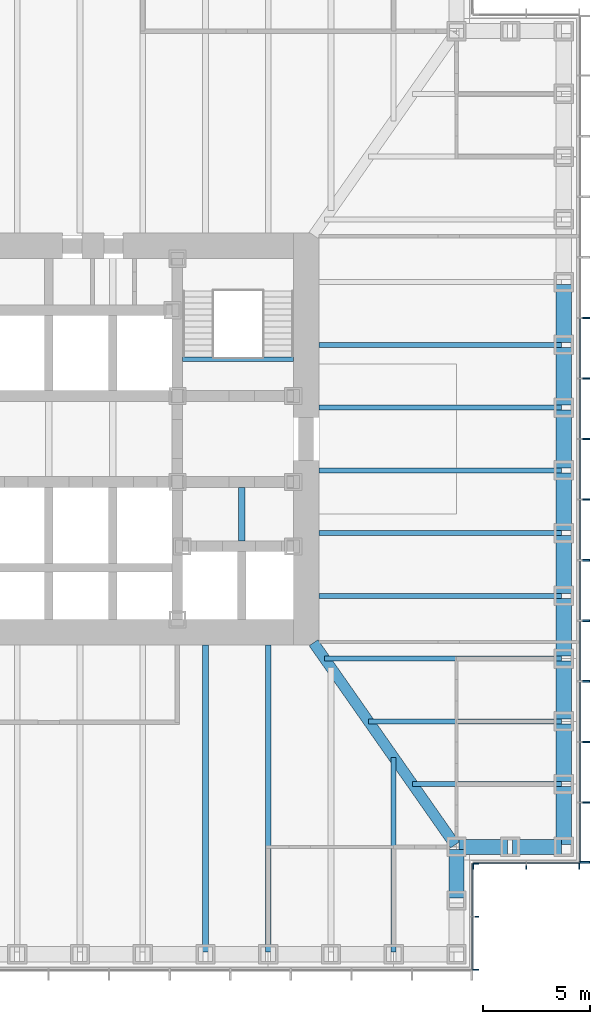
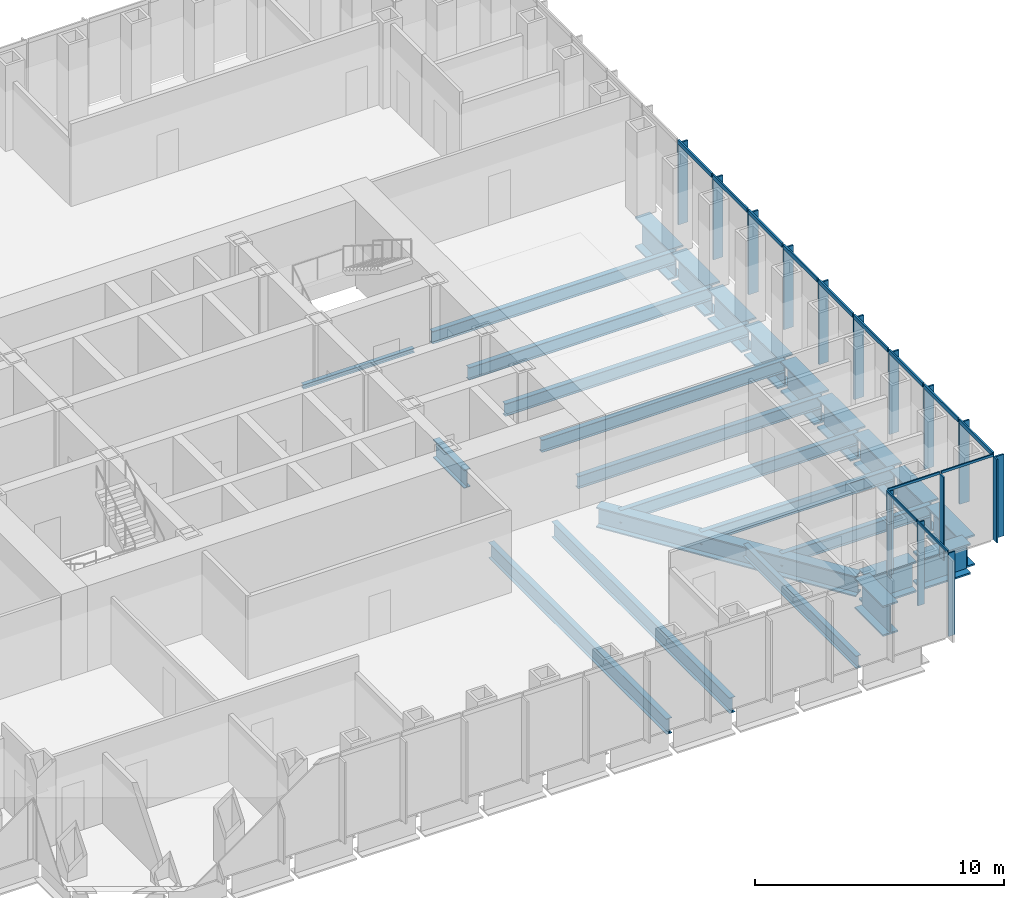
# One storey, part 4 of 17: 29 members, 26 beams, 3 elements without a shape of their own.
"""IFC4 building model written with IfcOpenShell, lengths in metres."""

from ifc_helpers import new_model, si_unit, direction, frame, origin, origin_2d, place, context, subcontext, project, spatial, rectangle, i_section, extrude, material, material_profile, profile_set, type_object, element, aggregate, save


model = new_model("IFC4")

# Units and contexts
model_context = context("Model", 3, precision=1e-05, world=origin(), true_north=direction((0.0, 1.0)))
body_context = subcontext(model_context, "Body", "Model", "MODEL_VIEW")
ifc_project = project(units=[si_unit("LENGTHUNIT", "METRE"), si_unit("AREAUNIT", "SQUARE_METRE"), si_unit("VOLUMEUNIT", "CUBIC_METRE"), si_unit("PLANEANGLEUNIT", "RADIAN"), si_unit("MASSUNIT", "GRAM", prefix="KILO")], contexts=[model_context])

# Site, building, storey
site_placement = place(None, origin())
site = spatial("IfcSite", under=ifc_project, at=site_placement, CompositionType="ELEMENT")
building_placement = place(site_placement, origin())
building = spatial("IfcBuilding", under=site, at=building_placement, Name="Daluyong Arena Tower", CompositionType="ELEMENT")
storey_placement = place(building_placement, frame((0.0, 0.0, 85.300048828125)))
storey = spatial("IfcBuildingStorey", under=building, at=storey_placement, Name="L18", CompositionType="ELEMENT", Elevation=85.300048828125)

# Curtain wall, members
ifc_material_1 = material(Name="Bronze anodised aluminium and glass", Category="aluminium")
curtain_wall_type_1 = type_object("IfcCurtainWallType", Name="Curtain wall CW1", PredefinedType="USERDEFINED", material=ifc_material_1)
curtain_wall_1_placement = place(storey_placement, origin())
curtain_wall_1 = element("IfcCurtainWall", 1, at=curtain_wall_1_placement, inside=storey, type_object=curtain_wall_type_1, Name="curtain wall L18 E", ObjectType="UNITISED CURTAIN WALL", PredefinedType="USERDEFINED")
ifc_material_2 = material(Name="Bronze anodised aluminium fin", Category="aluminium")
ifc_material_profile_1 = material_profile(ifc_material_2, rectangle(XDim=0.449951171875, YDim=0.080078125, at=origin_2d()))
ifc_profile_set_1 = profile_set([ifc_material_profile_1], Name="Bronze anodised aluminium fin")
member_type_1 = type_object("IfcMemberType", Name="CW1 bronze fin 450x80", PredefinedType="MULLION", material=ifc_profile_set_1)
member_1_placement = place(storey_placement, frame((80.97509765625, 60.2900390625, 0.0), z_axis=(0.0, 0.0, 1.0), x_axis=(-1.0, 0.0, 0.0)))
member_1 = element("IfcMember", 2, at=member_1_placement, type_object=member_type_1, Name="curtain wall L18 E fin 1", PredefinedType="MULLION", context=body_context, shape_type="SweptSolid", body=[
    extrude(rectangle(XDim=0.449951171875, YDim=0.080078125, at=origin_2d()), origin(), (0.0, 0.0, 1.0), 4.0),
])
member_2_placement = place(storey_placement, frame((80.97509765625, 63.071533203125, 0.0), z_axis=(0.0, 0.0, 1.0), x_axis=(-1.0, 0.0, 0.0)))
member_2 = element("IfcMember", 3, at=member_2_placement, type_object=member_type_1, Name="curtain wall L18 E fin 2", PredefinedType="MULLION", context=body_context, shape_type="SweptSolid", body=[
    extrude(rectangle(XDim=0.449951171875, YDim=0.080078125, at=origin_2d()), origin(), (0.0, 0.0, 1.0), 4.0),
])
member_3_placement = place(storey_placement, frame((80.97509765625, 65.892822265625, 0.0), z_axis=(0.0, 0.0, 1.0), x_axis=(-1.0, 0.0, 0.0)))
member_3 = element("IfcMember", 4, at=member_3_placement, type_object=member_type_1, Name="curtain wall L18 E fin 3", PredefinedType="MULLION", context=body_context, shape_type="SweptSolid", body=[
    extrude(rectangle(XDim=0.449951171875, YDim=0.080078125, at=origin_2d()), origin(), (0.0, 0.0, 1.0), 4.0),
])
member_4_placement = place(storey_placement, frame((80.97509765625, 68.71435546875, 0.0), z_axis=(0.0, 0.0, 1.0), x_axis=(-1.0, 0.0, 0.0)))
member_4 = element("IfcMember", 5, at=member_4_placement, type_object=member_type_1, Name="curtain wall L18 E fin 4", PredefinedType="MULLION", context=body_context, shape_type="SweptSolid", body=[
    extrude(rectangle(XDim=0.449951171875, YDim=0.080078125, at=origin_2d()), origin(), (0.0, 0.0, 1.0), 4.0),
])
member_5_placement = place(storey_placement, frame((80.97509765625, 71.53564453125, 0.0), z_axis=(0.0, 0.0, 1.0), x_axis=(-1.0, 0.0, 0.0)))
member_5 = element("IfcMember", 6, at=member_5_placement, type_object=member_type_1, Name="curtain wall L18 E fin 5", PredefinedType="MULLION", context=body_context, shape_type="SweptSolid", body=[
    extrude(rectangle(XDim=0.449951171875, YDim=0.080078125, at=origin_2d()), origin(), (0.0, 0.0, 1.0), 4.0),
])
member_6_placement = place(storey_placement, frame((80.97509765625, 74.357177734375, 0.0), z_axis=(0.0, 0.0, 1.0), x_axis=(-1.0, 0.0, 0.0)))
member_6 = element("IfcMember", 7, at=member_6_placement, type_object=member_type_1, Name="curtain wall L18 E fin 6", PredefinedType="MULLION", context=body_context, shape_type="SweptSolid", body=[
    extrude(rectangle(XDim=0.449951171875, YDim=0.080078125, at=origin_2d()), origin(), (0.0, 0.0, 1.0), 4.0),
])
member_7_placement = place(storey_placement, frame((80.97509765625, 77.178466796875, 0.0), z_axis=(0.0, 0.0, 1.0), x_axis=(-1.0, 0.0, 0.0)))
member_7 = element("IfcMember", 8, at=member_7_placement, type_object=member_type_1, Name="curtain wall L18 E fin 7", PredefinedType="MULLION", context=body_context, shape_type="SweptSolid", body=[
    extrude(rectangle(XDim=0.449951171875, YDim=0.080078125, at=origin_2d()), origin(), (0.0, 0.0, 1.0), 4.0),
])
member_8_placement = place(storey_placement, frame((80.97509765625, 80.0, 0.0), z_axis=(0.0, 0.0, 1.0), x_axis=(-1.0, 0.0, 0.0)))
member_8 = element("IfcMember", 9, at=member_8_placement, type_object=member_type_1, Name="curtain wall L18 E fin 8", PredefinedType="MULLION", context=body_context, shape_type="SweptSolid", body=[
    extrude(rectangle(XDim=0.449951171875, YDim=0.080078125, at=origin_2d()), origin(), (0.0, 0.0, 1.0), 4.0),
])
member_9_placement = place(storey_placement, frame((80.97509765625, 82.821533203125, 0.0), z_axis=(0.0, 0.0, 1.0), x_axis=(-1.0, 0.0, 0.0)))
member_9 = element("IfcMember", 10, at=member_9_placement, type_object=member_type_1, Name="curtain wall L18 E fin 9", PredefinedType="MULLION", context=body_context, shape_type="SweptSolid", body=[
    extrude(rectangle(XDim=0.449951171875, YDim=0.080078125, at=origin_2d()), origin(), (0.0, 0.0, 1.0), 4.0),
])
member_10_placement = place(storey_placement, frame((80.97509765625, 85.642822265625, 0.0), z_axis=(0.0, 0.0, 1.0), x_axis=(-1.0, 0.0, 0.0)))
member_10 = element("IfcMember", 11, at=member_10_placement, type_object=member_type_1, Name="curtain wall L18 E fin 10", PredefinedType="MULLION", context=body_context, shape_type="SweptSolid", body=[
    extrude(rectangle(XDim=0.449951171875, YDim=0.080078125, at=origin_2d()), origin(), (0.0, 0.0, 1.0), 4.0),
])
ifc_material_3 = material(Name="Bronze anodised aluminium", Category="aluminium")
ifc_material_profile_2 = material_profile(ifc_material_3, rectangle(XDim=0.080078125, YDim=0.199951171875, at=origin_2d()))
ifc_profile_set_2 = profile_set([ifc_material_profile_2], Name="Bronze anodised aluminium")
member_type_2 = type_object("IfcMemberType", Name="CW1 stack transom 200x80", PredefinedType="USERDEFINED", material=ifc_profile_set_2)
member_11_placement = place(storey_placement, frame((80.75, 60.330078125, 4.099853515625), z_axis=(0.0, 1.0, 0.0), x_axis=(-1.0, 0.0, 0.0)))
member_11 = element("IfcMember", 12, at=member_11_placement, type_object=member_type_2, Name="curtain wall L18 E transom 1", ObjectType="TRANSOM", PredefinedType="USERDEFINED", context=body_context, shape_type="SweptSolid", body=[
    extrude(rectangle(XDim=0.080078125, YDim=0.199951171875, at=origin_2d()), origin(), (0.0, 0.0, 1.0), 2.701416015625),
])
member_12_placement = place(storey_placement, frame((80.75, 63.111328125, 4.099853515625), z_axis=(0.0, 1.0, 0.0), x_axis=(-1.0, 0.0, 0.0)))
member_12 = element("IfcMember", 13, at=member_12_placement, type_object=member_type_2, Name="curtain wall L18 E transom 2", ObjectType="TRANSOM", PredefinedType="USERDEFINED", context=body_context, shape_type="SweptSolid", body=[
    extrude(rectangle(XDim=0.080078125, YDim=0.199951171875, at=origin_2d()), origin(), (0.0, 0.0, 1.0), 2.741455078125),
])
member_13_placement = place(storey_placement, frame((80.75, 65.932861328125, 4.099853515625), z_axis=(0.0, 1.0, 0.0), x_axis=(-1.0, 0.0, 0.0)))
member_13 = element("IfcMember", 14, at=member_13_placement, type_object=member_type_2, Name="curtain wall L18 E transom 3", ObjectType="TRANSOM", PredefinedType="USERDEFINED", context=body_context, shape_type="SweptSolid", body=[
    extrude(rectangle(XDim=0.080078125, YDim=0.199951171875, at=origin_2d()), origin(), (0.0, 0.0, 1.0), 2.741455078125),
])
member_14_placement = place(storey_placement, frame((80.75, 68.75439453125, 4.099853515625), z_axis=(0.0, 1.0, 0.0), x_axis=(-1.0, 0.0, 0.0)))
member_14 = element("IfcMember", 15, at=member_14_placement, type_object=member_type_2, Name="curtain wall L18 E transom 4", ObjectType="TRANSOM", PredefinedType="USERDEFINED", context=body_context, shape_type="SweptSolid", body=[
    extrude(rectangle(XDim=0.080078125, YDim=0.199951171875, at=origin_2d()), origin(), (0.0, 0.0, 1.0), 2.7412109375),
])
member_15_placement = place(storey_placement, frame((80.75, 71.57568359375, 4.099853515625), z_axis=(0.0, 1.0, 0.0), x_axis=(-1.0, 0.0, 0.0)))
member_15 = element("IfcMember", 16, at=member_15_placement, type_object=member_type_2, Name="curtain wall L18 E transom 5", ObjectType="TRANSOM", PredefinedType="USERDEFINED", context=body_context, shape_type="SweptSolid", body=[
    extrude(rectangle(XDim=0.080078125, YDim=0.199951171875, at=origin_2d()), origin(), (0.0, 0.0, 1.0), 2.741455078125),
])
member_16_placement = place(storey_placement, frame((80.75, 74.397216796875, 4.099853515625), z_axis=(0.0, 1.0, 0.0), x_axis=(-1.0, 0.0, 0.0)))
member_16 = element("IfcMember", 17, at=member_16_placement, type_object=member_type_2, Name="curtain wall L18 E transom 6", ObjectType="TRANSOM", PredefinedType="USERDEFINED", context=body_context, shape_type="SweptSolid", body=[
    extrude(rectangle(XDim=0.080078125, YDim=0.199951171875, at=origin_2d()), origin(), (0.0, 0.0, 1.0), 2.741455078125),
])
member_17_placement = place(storey_placement, frame((80.75, 77.218505859375, 4.099853515625), z_axis=(0.0, 1.0, 0.0), x_axis=(-1.0, 0.0, 0.0)))
member_17 = element("IfcMember", 18, at=member_17_placement, type_object=member_type_2, Name="curtain wall L18 E transom 7", ObjectType="TRANSOM", PredefinedType="USERDEFINED", context=body_context, shape_type="SweptSolid", body=[
    extrude(rectangle(XDim=0.080078125, YDim=0.199951171875, at=origin_2d()), origin(), (0.0, 0.0, 1.0), 2.741455078125),
])
member_18_placement = place(storey_placement, frame((80.75, 80.0400390625, 4.099853515625), z_axis=(0.0, 1.0, 0.0), x_axis=(-1.0, 0.0, 0.0)))
member_18 = element("IfcMember", 19, at=member_18_placement, type_object=member_type_2, Name="curtain wall L18 E transom 8", ObjectType="TRANSOM", PredefinedType="USERDEFINED", context=body_context, shape_type="SweptSolid", body=[
    extrude(rectangle(XDim=0.080078125, YDim=0.199951171875, at=origin_2d()), origin(), (0.0, 0.0, 1.0), 2.741455078125),
])
member_19_placement = place(storey_placement, frame((80.75, 82.861328125, 4.099853515625), z_axis=(0.0, 1.0, 0.0), x_axis=(-1.0, 0.0, 0.0)))
member_19 = element("IfcMember", 20, at=member_19_placement, type_object=member_type_2, Name="curtain wall L18 E transom 9", ObjectType="TRANSOM", PredefinedType="USERDEFINED", context=body_context, shape_type="SweptSolid", body=[
    extrude(rectangle(XDim=0.080078125, YDim=0.199951171875, at=origin_2d()), origin(), (0.0, 0.0, 1.0), 2.741455078125),
])
aggregate(curtain_wall_1, [member_1, member_2, member_3, member_4, member_5, member_6, member_7, member_8, member_9, member_10, member_11, member_12, member_13, member_14, member_15, member_16, member_17, member_18, member_19])

ifc_material_4 = material(Name="Bronze anodised aluminium and glass", Category="aluminium")
curtain_wall_type_2 = type_object("IfcCurtainWallType", Name="Curtain wall CW7", PredefinedType="USERDEFINED", material=ifc_material_4)
curtain_wall_2_placement = place(storey_placement, origin())
curtain_wall_2 = element("IfcCurtainWall", 21, at=curtain_wall_2_placement, inside=storey, type_object=curtain_wall_type_2, Name="curtain wall L18 SE-E", ObjectType="UNITISED CURTAIN WALL", PredefinedType="USERDEFINED")
ifc_material_5 = material(Name="Bronze anodised aluminium fin", Category="aluminium")
ifc_material_profile_3 = material_profile(ifc_material_5, rectangle(XDim=0.300048828125, YDim=0.06005859375, at=origin_2d()))
ifc_profile_set_3 = profile_set([ifc_material_profile_3], Name="Bronze anodised aluminium fin")
member_type_3 = type_object("IfcMemberType", Name="CW7 bronze fin 300x60", PredefinedType="MULLION", material=ifc_profile_set_3)
member_20_placement = place(storey_placement, frame((75.89990234375, 55.280029296875, 0.0), z_axis=(0.0, 0.0, 1.0), x_axis=(-1.0, 0.0, 0.0)))
member_20 = element("IfcMember", 22, at=member_20_placement, type_object=member_type_3, Name="curtain wall L18 SE-E fin 1", PredefinedType="MULLION", context=body_context, shape_type="SweptSolid", body=[
    extrude(rectangle(XDim=0.300048828125, YDim=0.06005859375, at=origin_2d()), origin(), (0.0, 0.0, 1.0), 4.079833984375),
])
member_21_placement = place(storey_placement, frame((75.89990234375, 57.75, 0.0), z_axis=(0.0, 0.0, 1.0), x_axis=(-1.0, 0.0, 0.0)))
member_21 = element("IfcMember", 23, at=member_21_placement, type_object=member_type_3, Name="curtain wall L18 SE-E fin 2", PredefinedType="MULLION", context=body_context, shape_type="SweptSolid", body=[
    extrude(rectangle(XDim=0.300048828125, YDim=0.06005859375, at=origin_2d()), origin(), (0.0, 0.0, 1.0), 4.079833984375),
])
member_22_placement = place(storey_placement, frame((75.89990234375, 60.219970703125, 0.0), z_axis=(0.0, 0.0, 1.0), x_axis=(-1.0, 0.0, 0.0)))
member_22 = element("IfcMember", 24, at=member_22_placement, type_object=member_type_3, Name="curtain wall L18 SE-E fin 3", PredefinedType="MULLION", context=body_context, shape_type="SweptSolid", body=[
    extrude(rectangle(XDim=0.300048828125, YDim=0.06005859375, at=origin_2d()), origin(), (0.0, 0.0, 1.0), 4.079833984375),
])

curtain_wall_3_placement = place(storey_placement, origin())
curtain_wall_3 = element("IfcCurtainWall", 25, at=curtain_wall_3_placement, inside=storey, type_object=curtain_wall_type_2, Name="curtain wall L18 SE-S", ObjectType="UNITISED CURTAIN WALL", PredefinedType="USERDEFINED")
member_23_placement = place(storey_placement, frame((75.780029296875, 60.10009765625, 0.0), z_axis=(0.0, 0.0, 1.0), x_axis=(0.0, 1.0, 0.0)))
member_23 = element("IfcMember", 26, at=member_23_placement, type_object=member_type_3, Name="curtain wall L18 SE-S fin 1", PredefinedType="MULLION", context=body_context, shape_type="SweptSolid", body=[
    extrude(rectangle(XDim=0.300048828125, YDim=0.06005859375, at=origin_2d()), origin(), (0.0, 0.0, 1.0), 4.079833984375),
])
member_24_placement = place(storey_placement, frame((78.25, 60.10009765625, 0.0), z_axis=(0.0, 0.0, 1.0), x_axis=(0.0, 1.0, 0.0)))
member_24 = element("IfcMember", 27, at=member_24_placement, type_object=member_type_3, Name="curtain wall L18 SE-S fin 2", PredefinedType="MULLION", context=body_context, shape_type="SweptSolid", body=[
    extrude(rectangle(XDim=0.300048828125, YDim=0.06005859375, at=origin_2d()), origin(), (0.0, 0.0, 1.0), 4.079833984375),
])
member_25_placement = place(storey_placement, frame((80.719970703125, 60.10009765625, 0.0), z_axis=(0.0, 0.0, 1.0), x_axis=(0.0, 1.0, 0.0)))
member_25 = element("IfcMember", 28, at=member_25_placement, type_object=member_type_3, Name="curtain wall L18 SE-S fin 3", PredefinedType="MULLION", context=body_context, shape_type="SweptSolid", body=[
    extrude(rectangle(XDim=0.300048828125, YDim=0.06005859375, at=origin_2d()), origin(), (0.0, 0.0, 1.0), 4.079833984375),
])

# Member
ifc_material_6 = material(Name="Bronze anodised aluminium", Category="aluminium")
ifc_material_profile_4 = material_profile(ifc_material_6, rectangle(XDim=0.06005859375, YDim=0.1201171875, at=origin_2d()))
ifc_profile_set_4 = profile_set([ifc_material_profile_4], Name="Bronze anodised aluminium")
member_type_4 = type_object("IfcMemberType", Name="CW7 stack transom 120x60", PredefinedType="USERDEFINED", material=ifc_profile_set_4)
member_26_placement = place(storey_placement, frame((75.75, 55.31005859375, 4.139892578125), z_axis=(0.0, 1.0, 0.0), x_axis=(-1.0, 0.0, 0.0)))
member_26 = element("IfcMember", 29, at=member_26_placement, type_object=member_type_4, Name="curtain wall L18 SE-E transom 1", ObjectType="TRANSOM", PredefinedType="USERDEFINED", context=body_context, shape_type="SweptSolid", body=[
    extrude(rectangle(XDim=0.06005859375, YDim=0.1201171875, at=origin_2d()), origin(), (0.0, 0.0, 1.0), 2.409912109375),
])

member_27_placement = place(storey_placement, frame((75.75, 57.780029296875, 4.139892578125), z_axis=(0.0, 1.0, 0.0), x_axis=(-1.0, 0.0, 0.0)))
member_27 = element("IfcMember", 30, at=member_27_placement, type_object=member_type_4, Name="curtain wall L18 SE-E transom 2", ObjectType="TRANSOM", PredefinedType="USERDEFINED", context=body_context, shape_type="SweptSolid", body=[
    extrude(rectangle(XDim=0.06005859375, YDim=0.1201171875, at=origin_2d()), origin(), (0.0, 0.0, 1.0), 2.409912109375),
])

aggregate(curtain_wall_2, [member_20, member_21, member_22, member_26, member_27])

member_28_placement = place(storey_placement, frame((75.81005859375, 60.25, 4.139892578125), z_axis=(1.0, 0.0, 0.0), x_axis=(0.0, 1.0, 0.0)))
member_28 = element("IfcMember", 31, at=member_28_placement, type_object=member_type_4, Name="curtain wall L18 SE-S transom 1", ObjectType="TRANSOM", PredefinedType="USERDEFINED", context=body_context, shape_type="SweptSolid", body=[
    extrude(rectangle(XDim=0.06005859375, YDim=0.1201171875, at=origin_2d()), origin(), (0.0, 0.0, 1.0), 2.409912109375),
])

member_29_placement = place(storey_placement, frame((78.280029296875, 60.25, 4.139892578125), z_axis=(1.0, 0.0, 0.0), x_axis=(0.0, 1.0, 0.0)))
member_29 = element("IfcMember", 32, at=member_29_placement, type_object=member_type_4, Name="curtain wall L18 SE-S transom 2", ObjectType="TRANSOM", PredefinedType="USERDEFINED", context=body_context, shape_type="SweptSolid", body=[
    extrude(rectangle(XDim=0.06005859375, YDim=0.1201171875, at=origin_2d()), origin(), (0.0, 0.0, 1.0), 2.409912109375),
])

aggregate(curtain_wall_3, [member_23, member_24, member_25, member_28, member_29])

# Beams
ifc_material_7 = material(Name="Steel ASTM A572 Grade 50", Category="steel")
ifc_material_profile_5 = material_profile(ifc_material_7, i_section(OverallWidth=0.5, OverallDepth=1.0, WebThickness=0.03, FlangeThickness=0.06, at=origin_2d()))
ifc_profile_set_5 = profile_set([ifc_material_profile_5], Name="Steel ASTM A572 Grade 50")
beam_type_1 = type_object("IfcBeamType", Name="Corner girder TB1000X500", PredefinedType="BEAM", material=ifc_profile_set_5)
beam_1_placement = place(storey_placement, frame((74.93408203125, 61.09423828125, -0.66015625), z_axis=(-0.573466621875, 0.819228926244, 0.0), x_axis=(-0.819228926244, -0.573466621875, 0.0)))
element("IfcBeam", 33, at=beam_1_placement, inside=storey, type_object=beam_type_1, Name="corner girder DG2", PredefinedType="BEAM", context=body_context, shape_type="SweptSolid", body=[
    extrude(i_section(OverallWidth=0.5, OverallDepth=1.0, WebThickness=0.03, FlangeThickness=0.06, at=origin_2d()), origin(), (0.0, 0.0, 1.0), 11.49169921875),
])
ifc_material_8 = material(Name="Steel ASTM A992 Grade 50", Category="steel")
ifc_material_profile_6 = material_profile(ifc_material_8, i_section(OverallWidth=0.22900390625, OverallDepth=0.612060546875, WebThickness=0.011962890625, FlangeThickness=0.01953125, at=origin_2d()))
ifc_profile_set_6 = profile_set([ifc_material_profile_6], Name="Steel ASTM A992 Grade 50")
beam_type_2 = type_object("IfcBeamType", Name="Floor beam W24X84", PredefinedType="BEAM", material=ifc_profile_set_6)
beam_2_placement = place(storey_placement, frame((72.076904296875, 56.114990234375, -0.466064453125), z_axis=(0.0, 1.0, 0.0), x_axis=(-1.0, 0.0, 0.0)))
element("IfcBeam", 34, at=beam_2_placement, inside=storey, type_object=beam_type_2, Name="floor beam FB3", PredefinedType="BEAM", context=body_context, shape_type="SweptSolid", body=[
    extrude(i_section(OverallWidth=0.22900390625, OverallDepth=0.612060546875, WebThickness=0.011962890625, FlangeThickness=0.01953125, at=origin_2d()), origin(), (0.0, 0.0, 1.0), 9.060791015625),
])
beam_3_placement = place(storey_placement, frame((79.885009765625, 63.923095703125, -0.466064453125), z_axis=(-1.0, 0.0, 0.0), x_axis=(0.0, -1.0, 0.0)))
element("IfcBeam", 35, at=beam_3_placement, inside=storey, type_object=beam_type_2, Name="floor beam FB3", PredefinedType="BEAM", context=body_context, shape_type="SweptSolid", body=[
    extrude(i_section(OverallWidth=0.22900390625, OverallDepth=0.612060546875, WebThickness=0.011962890625, FlangeThickness=0.01953125, at=origin_2d()), origin(), (0.0, 0.0, 1.0), 6.93115234375),
])
beam_4_placement = place(storey_placement, frame((79.885009765625, 66.84619140625, -0.466064453125), z_axis=(-1.0, 0.0, 0.0), x_axis=(0.0, -1.0, 0.0)))
element("IfcBeam", 36, at=beam_4_placement, inside=storey, type_object=beam_type_2, Name="floor beam FB3", PredefinedType="BEAM", context=body_context, shape_type="SweptSolid", body=[
    extrude(i_section(OverallWidth=0.22900390625, OverallDepth=0.612060546875, WebThickness=0.011962890625, FlangeThickness=0.01953125, at=origin_2d()), origin(), (0.0, 0.0, 1.0), 8.977294921875),
])
beam_5_placement = place(storey_placement, frame((79.885009765625, 69.769287109375, -0.466064453125), z_axis=(-1.0, 0.0, 0.0), x_axis=(0.0, -1.0, 0.0)))
element("IfcBeam", 37, at=beam_5_placement, inside=storey, type_object=beam_type_2, Name="floor beam FB3", PredefinedType="BEAM", context=body_context, shape_type="SweptSolid", body=[
    extrude(i_section(OverallWidth=0.22900390625, OverallDepth=0.612060546875, WebThickness=0.011962890625, FlangeThickness=0.01953125, at=origin_2d()), origin(), (0.0, 0.0, 1.0), 11.0234375),
])
for number, where, z_axis, x_axis, name in (
    (38, (79.885009765625, 72.6923828125, -0.466064453125), (-1.0, 0.0, 0.0), (0.0, -1.0, 0.0), "floor beam FB3"),
    (39, (79.885009765625, 75.615478515625, -0.466064453125), (-1.0, 0.0, 0.0), (0.0, -1.0, 0.0), "floor beam FB3"),
    (40, (79.885009765625, 78.53857421875, -0.466064453125), (-1.0, 0.0, 0.0), (0.0, -1.0, 0.0), "floor beam FB3"),
    (41, (79.885009765625, 81.46142578125, -0.466064453125), (-1.0, 0.0, 0.0), (0.0, -1.0, 0.0), "floor beam FB3"),
    (42, (79.885009765625, 84.384521484375, -0.466064453125), (-1.0, 0.0, 0.0), (0.0, -1.0, 0.0), "floor beam FB3"),
):
    element("IfcBeam", number, at=place(storey_placement, frame(where, z_axis=z_axis, x_axis=x_axis)), inside=storey, type_object=beam_type_2, Name=name, PredefinedType="BEAM", context=body_context, shape_type="SweptSolid", body=[
        extrude(i_section(OverallWidth=0.22900390625, OverallDepth=0.612060546875, WebThickness=0.011962890625, FlangeThickness=0.01953125, at=origin_2d()), origin(), (0.0, 0.0, 1.0), 11.284912109375),
    ])
ifc_material_9 = material(Name="Steel ASTM A992 Grade 50", Category="steel")
ifc_material_profile_7 = material_profile(ifc_material_9, i_section(OverallWidth=0.2666015625, OverallDepth=0.761962890625, WebThickness=0.014404296875, FlangeThickness=0.021484375, at=origin_2d()))
ifc_profile_set_7 = profile_set([ifc_material_profile_7], Name="Steel ASTM A992 Grade 50")
beam_type_3 = type_object("IfcBeamType", Name="Floor beam W30X116", PredefinedType="BEAM", material=ifc_profile_set_7)
for number, where, z_axis, x_axis, name in (
    (43, (63.3076171875, 56.114990234375, -0.541015625), (0.0, 1.0, 0.0), (-1.0, 0.0, 0.0), "floor beam FB4"),
    (44, (66.230712890625, 56.114990234375, -0.541015625), (0.0, 1.0, 0.0), (-1.0, 0.0, 0.0), "floor beam FB4"),
):
    element("IfcBeam", number, at=place(storey_placement, frame(where, z_axis=z_axis, x_axis=x_axis)), inside=storey, type_object=beam_type_3, Name=name, PredefinedType="BEAM", context=body_context, shape_type="SweptSolid", body=[
        extrude(i_section(OverallWidth=0.2666015625, OverallDepth=0.761962890625, WebThickness=0.014404296875, FlangeThickness=0.021484375, at=origin_2d()), origin(), (0.0, 0.0, 1.0), 14.284912109375),
    ])
ifc_material_10 = material(Name="Steel ASTM A572 Grade 50", Category="steel")
ifc_material_profile_8 = material_profile(ifc_material_10, i_section(OverallWidth=0.300048828125, OverallDepth=0.89990234375, WebThickness=0.025, FlangeThickness=0.04, at=origin_2d()))
ifc_profile_set_8 = profile_set([ifc_material_profile_8], Name="Steel ASTM A572 Grade 50")
beam_type_4 = type_object("IfcBeamType", Name="Lift divider beam PG900X300", PredefinedType="BEAM", material=ifc_profile_set_8)
beam_6_placement = place(storey_placement, frame((65.0, 75.25, -0.610107421875), z_axis=(0.0, 1.0, 0.0), x_axis=(-1.0, 0.0, 0.0)))
element("IfcBeam", 45, at=beam_6_placement, inside=storey, type_object=beam_type_4, Name="lift divider beam DB1", PredefinedType="BEAM", context=body_context, shape_type="SweptSolid", body=[
    extrude(i_section(OverallWidth=0.300048828125, OverallDepth=0.89990234375, WebThickness=0.025, FlangeThickness=0.04, at=origin_2d()), origin(), (0.0, 0.0, 1.0), 2.5),
])
ifc_material_11 = material(Name="Steel ASTM A572 Grade 50", Category="steel")
ifc_material_profile_9 = material_profile(ifc_material_11, i_section(OverallWidth=0.699951171875, OverallDepth=1.5, WebThickness=0.04, FlangeThickness=0.08, at=origin_2d()))
ifc_profile_set_9 = profile_set([ifc_material_profile_9], Name="Steel ASTM A572 Grade 50")
beam_type_5 = type_object("IfcBeamType", Name="Spandrel Z1 PG1500X700", PredefinedType="SPANDREL", material=ifc_profile_set_9)
for number, where, z_axis, x_axis, name in (
    (46, (75.0, 58.614990234375, -0.91015625), (0.0, 1.0, 0.0), (-1.0, 0.0, 0.0), "spandrel z1 SB4"),
    (47, (75.114990234375, 61.0, -0.91015625), (1.0, 0.0, 0.0), (0.0, 1.0, 0.0), "spandrel z1 SB4"),
    (48, (77.614990234375, 61.0, -0.91015625), (1.0, 0.0, 0.0), (0.0, 1.0, 0.0), "spandrel z1 SB4"),
):
    element("IfcBeam", number, at=place(storey_placement, frame(where, z_axis=z_axis, x_axis=x_axis)), inside=storey, type_object=beam_type_5, Name=name, PredefinedType="SPANDREL", context=body_context, shape_type="SweptSolid", body=[
        extrude(i_section(OverallWidth=0.699951171875, OverallDepth=1.5, WebThickness=0.04, FlangeThickness=0.08, at=origin_2d()), origin(), (0.0, 0.0, 1.0), 2.27001953125),
    ])
for number, where, z_axis, x_axis, name in (
    (49, (80.0, 61.114990234375, -0.91015625), (0.0, 1.0, 0.0), (-1.0, 0.0, 0.0), "spandrel z1 SB4"),
    (50, (80.0, 64.0380859375, -0.91015625), (0.0, 1.0, 0.0), (-1.0, 0.0, 0.0), "spandrel z1 SB4"),
    (51, (80.0, 66.961181640625, -0.91015625), (0.0, 1.0, 0.0), (-1.0, 0.0, 0.0), "spandrel z1 SB4"),
    (52, (80.0, 69.88427734375, -0.91015625), (0.0, 1.0, 0.0), (-1.0, 0.0, 0.0), "spandrel z1 SB4"),
    (53, (80.0, 72.807373046875, -0.91015625), (0.0, 1.0, 0.0), (-1.0, 0.0, 0.0), "spandrel z1 SB4"),
    (54, (80.0, 75.73046875, -0.91015625), (0.0, 1.0, 0.0), (-1.0, 0.0, 0.0), "spandrel z1 SB4"),
):
    element("IfcBeam", number, at=place(storey_placement, frame(where, z_axis=z_axis, x_axis=x_axis)), inside=storey, type_object=beam_type_5, Name=name, PredefinedType="SPANDREL", context=body_context, shape_type="SweptSolid", body=[
        extrude(i_section(OverallWidth=0.699951171875, OverallDepth=1.5, WebThickness=0.04, FlangeThickness=0.08, at=origin_2d()), origin(), (0.0, 0.0, 1.0), 2.693115234375),
    ])
beam_7_placement = place(storey_placement, frame((80.0, 78.653564453125, -0.91015625), z_axis=(0.0, 1.0, 0.0), x_axis=(-1.0, 0.0, 0.0)))
element("IfcBeam", 55, at=beam_7_placement, inside=storey, type_object=beam_type_5, Name="spandrel z1 SB4", PredefinedType="SPANDREL", context=body_context, shape_type="SweptSolid", body=[
    extrude(i_section(OverallWidth=0.699951171875, OverallDepth=1.5, WebThickness=0.04, FlangeThickness=0.08, at=origin_2d()), origin(), (0.0, 0.0, 1.0), 2.69287109375),
])
for number, where, z_axis, x_axis, name in (
    (56, (80.0, 81.576416015625, -0.91015625), (0.0, 1.0, 0.0), (-1.0, 0.0, 0.0), "spandrel z1 SB4"),
    (57, (80.0, 84.49951171875, -0.91015625), (0.0, 1.0, 0.0), (-1.0, 0.0, 0.0), "spandrel z1 SB4"),
):
    element("IfcBeam", number, at=place(storey_placement, frame(where, z_axis=z_axis, x_axis=x_axis)), inside=storey, type_object=beam_type_5, Name=name, PredefinedType="SPANDREL", context=body_context, shape_type="SweptSolid", body=[
        extrude(i_section(OverallWidth=0.699951171875, OverallDepth=1.5, WebThickness=0.04, FlangeThickness=0.08, at=origin_2d()), origin(), (0.0, 0.0, 1.0), 2.693115234375),
    ])
ifc_material_12 = material(Name="Steel ASTM A992 Grade 50", Category="steel")
ifc_material_profile_10 = material_profile(ifc_material_12, i_section(OverallWidth=0.203125, OverallDepth=0.203125, WebThickness=0.00732421875, FlangeThickness=0.010986328125, at=origin_2d()))
ifc_profile_set_10 = profile_set([ifc_material_profile_10], Name="Steel ASTM A992 Grade 50")
beam_type_6 = type_object("IfcBeamType", Name="Stair landing beam W8X31", PredefinedType="BEAM", material=ifc_profile_set_10)
beam_8_placement = place(storey_placement, frame((62.25, 83.723388671875, -0.26171875), z_axis=(1.0, 0.0, 0.0), x_axis=(0.0, 1.0, 0.0)))
element("IfcBeam", 58, at=beam_8_placement, inside=storey, type_object=beam_type_6, Name="exit stair B landing beam", PredefinedType="BEAM", context=body_context, shape_type="SweptSolid", body=[
    extrude(i_section(OverallWidth=0.203125, OverallDepth=0.203125, WebThickness=0.00732421875, FlangeThickness=0.010986328125, at=origin_2d()), origin(), (0.0, 0.0, 1.0), 5.14990234375),
])

save(model, "model.ifc")
